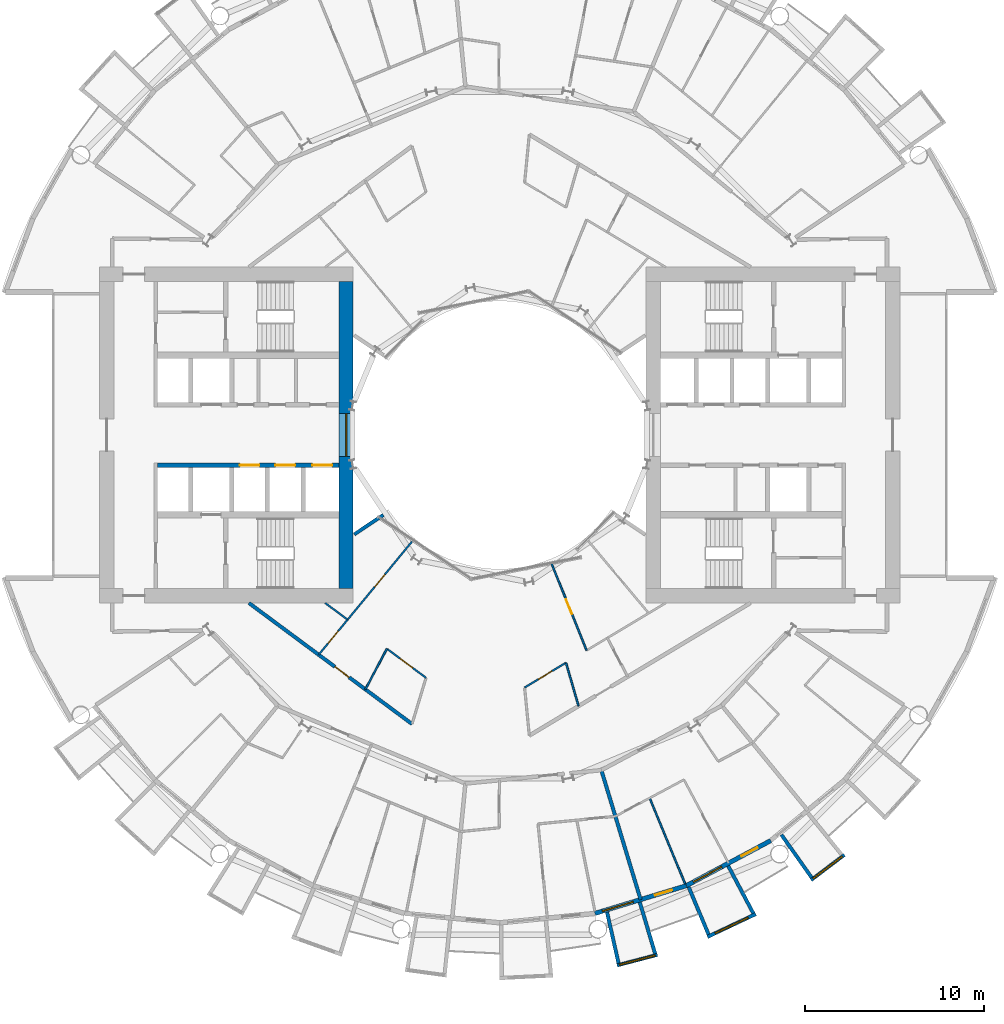
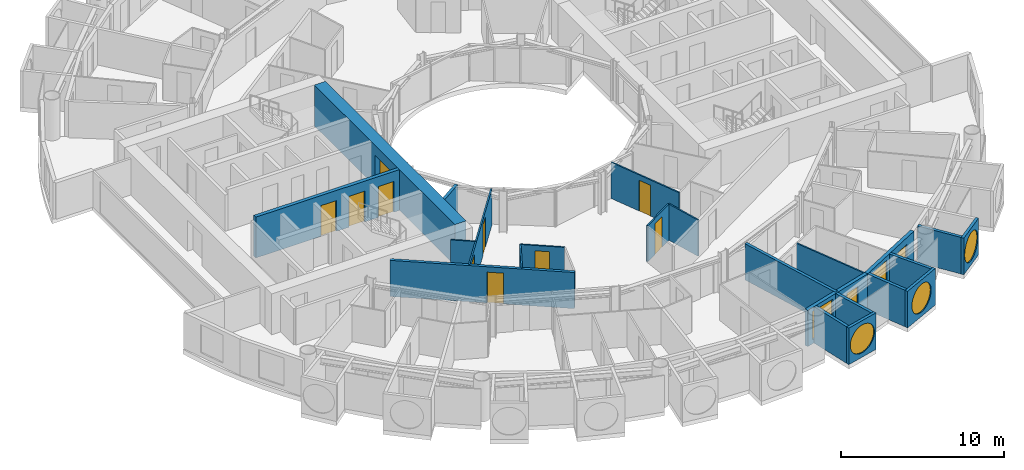
# One storey, part 15 of 26: 23 walls, 11 doors, 6 windows, 17 openings.
"""IFC4 building model written with IfcOpenShell, lengths in metres."""

from ifc_helpers import new_model, si_unit, direction, frame, frame_2d, origin, place, context, subcontext, project, spatial, rectangle, circle, extrude, material, layer, layer_set, type_object, element, fill, save


model = new_model("IFC4")

# Units and contexts
model_context = context("Model", 3, precision=1e-05, world=origin(), true_north=direction((0.0, 1.0)))
body_context = subcontext(model_context, "Body", "Model", "MODEL_VIEW")
ifc_project = project(units=[si_unit("LENGTHUNIT", "METRE"), si_unit("AREAUNIT", "SQUARE_METRE"), si_unit("VOLUMEUNIT", "CUBIC_METRE"), si_unit("PLANEANGLEUNIT", "RADIAN"), si_unit("MASSUNIT", "GRAM", prefix="KILO")], contexts=[model_context])

# Site, building, storey
site_placement = place(None, origin())
site = spatial("IfcSite", under=ifc_project, at=site_placement, CompositionType="ELEMENT")
building_placement = place(site_placement, origin())
building = spatial("IfcBuilding", under=site, at=building_placement, Name="Maasbend Ring Residences", CompositionType="ELEMENT")
storey_placement = place(building_placement, frame((0.0, 0.0, 47.199951171875)))
storey = spatial("IfcBuildingStorey", under=building, at=storey_placement, Name="L13", CompositionType="ELEMENT", Elevation=47.199951171875)

# Wall, openings, doors
ifc_material_1 = material(Name="Concrete C70/85", Category="concrete")
ifc_layer_1 = layer(ifc_material_1, 0.25)
ifc_layer_set_1 = layer_set([ifc_layer_1], Name="Concrete C70/85")
wall_type_1 = type_object("IfcWallType", Name="CORE WALL 250 C70/85", PredefinedType="SHEAR", material=ifc_layer_set_1)
wall_1_placement = place(storey_placement, frame((-9.0, -1.699951171875, 0.0), z_axis=(0.0, 0.0, 1.0), x_axis=(-1.0, 0.0, 0.0)))
wall_1 = element("IfcWall", 1, at=wall_1_placement, inside=storey, type_object=wall_type_1, Name="L13 core W wall SPN", PredefinedType="SHEAR", context=body_context, shape_type="SweptSolid", body=[
    extrude(rectangle(XDim=10.14990234375, YDim=0.25, at=frame_2d((5.074951171875, 0.0))), origin(), (0.0, 0.0, 1.0), 3.050048828125),
])
opening_1_placement = place(wall_1_placement, frame((0.387451171875, 0.0, 0.0)))
opening_1 = element("IfcOpeningElement", 2, at=opening_1_placement, cuts=wall_1, Name="Opening LD-W1301", PredefinedType="OPENING", context=body_context, shape_type="SweptSolid", body=[
    extrude(rectangle(XDim=1.10009765625, YDim=2.300048828125, at=frame_2d((0.550048828125, 1.14990234375))), frame((0.0, 0.135009765625, 0.0), z_axis=(0.0, -1.0, 0.0), x_axis=(1.0, 0.0, 0.0)), (0.0, 0.0, 1.0), 0.27001953125),
])
opening_2_placement = place(wall_1_placement, frame((2.449951171875, 0.0, 0.0)))
opening_2 = element("IfcOpeningElement", 3, at=opening_2_placement, cuts=wall_1, Name="Opening LD-W1302", PredefinedType="OPENING", context=body_context, shape_type="SweptSolid", body=[
    extrude(rectangle(XDim=1.10009765625, YDim=2.300048828125, at=frame_2d((0.550048828125, 1.14990234375))), frame((0.0, 0.135009765625, 0.0), z_axis=(0.0, -1.0, 0.0), x_axis=(1.0, 0.0, 0.0)), (0.0, 0.0, 1.0), 0.27001953125),
])
opening_3_placement = place(wall_1_placement, frame((4.449951171875, 0.0, 0.0)))
opening_3 = element("IfcOpeningElement", 4, at=opening_3_placement, cuts=wall_1, Name="Opening LD-W1303", PredefinedType="OPENING", context=body_context, shape_type="SweptSolid", body=[
    extrude(rectangle(XDim=1.10009765625, YDim=2.300048828125, at=frame_2d((0.550048828125, 1.14990234375))), frame((0.0, 0.135009765625, 0.0), z_axis=(0.0, -1.0, 0.0), x_axis=(1.0, 0.0, 0.0)), (0.0, 0.0, 1.0), 0.27001953125),
])
ifc_material_2 = material(Name="Stainless steel 316", Category="steel")
door_type_1 = type_object("IfcDoorType", Name="LANDING DOOR 1100 X 2300 FD60", OperationType="DOUBLE_DOOR_SLIDING", PredefinedType="DOOR", material=ifc_material_2)
door_1_placement = place(opening_1_placement, origin())
door_1 = element("IfcDoor", 5, at=door_1_placement, inside=storey, type_object=door_type_1, Name="Landing door LR-W1 L13", OperationType="DOUBLE_DOOR_SLIDING", OverallHeight=2.300048828125, OverallWidth=1.10009765625, PredefinedType="DOOR", context=body_context, shape_type="SweptSolid", body=[
    extrude(rectangle(XDim=1.10009765625, YDim=2.300048828125, at=frame_2d((0.550048828125, 1.14990234375))), frame((0.0, 0.02490234375, 0.0), z_axis=(0.0, -1.0, 0.0), x_axis=(1.0, 0.0, 0.0)), (0.0, 0.0, 1.0), 0.050048828125),
])
fill(opening_1, door_1)
door_2_placement = place(opening_2_placement, origin())
door_2 = element("IfcDoor", 6, at=door_2_placement, inside=storey, type_object=door_type_1, Name="Landing door LR-W2 L13", OperationType="DOUBLE_DOOR_SLIDING", OverallHeight=2.300048828125, OverallWidth=1.10009765625, PredefinedType="DOOR", context=body_context, shape_type="SweptSolid", body=[
    extrude(rectangle(XDim=1.10009765625, YDim=2.300048828125, at=frame_2d((0.550048828125, 1.14990234375))), frame((0.0, 0.02490234375, 0.0), z_axis=(0.0, -1.0, 0.0), x_axis=(1.0, 0.0, 0.0)), (0.0, 0.0, 1.0), 0.050048828125),
])
fill(opening_2, door_2)
door_3_placement = place(opening_3_placement, origin())
door_3 = element("IfcDoor", 7, at=door_3_placement, inside=storey, type_object=door_type_1, Name="Landing door LR-W3 L13", OperationType="DOUBLE_DOOR_SLIDING", OverallHeight=2.300048828125, OverallWidth=1.10009765625, PredefinedType="DOOR", context=body_context, shape_type="SweptSolid", body=[
    extrude(rectangle(XDim=1.10009765625, YDim=2.300048828125, at=frame_2d((0.550048828125, 1.14990234375))), frame((0.0, 0.02490234375, 0.0), z_axis=(0.0, -1.0, 0.0), x_axis=(1.0, 0.0, 0.0)), (0.0, 0.0, 1.0), 0.050048828125),
])
fill(opening_3, door_3)

# Wall, opening, window
ifc_material_3 = material(Name="Concrete C70/85", Category="concrete")
ifc_layer_2 = layer(ifc_material_3, 0.800048828125)
ifc_layer_set_2 = layer_set([ifc_layer_2], Name="Concrete C70/85")
wall_type_2 = type_object("IfcWallType", Name="CORE WALL 800 C70/85", PredefinedType="SHEAR", material=ifc_layer_set_2)
wall_2_placement = place(storey_placement, frame((-8.60009765625, 8.60009765625, 0.0), z_axis=(0.0, 0.0, 1.0), x_axis=(0.0, -1.0, 0.0)))
wall_2 = element("IfcWall", 8, at=wall_2_placement, inside=storey, type_object=wall_type_2, Name="L13 core W wall PIN", PredefinedType="SHEAR", context=body_context, shape_type="SweptSolid", body=[
    extrude(rectangle(XDim=17.2001953125, YDim=0.800048828125, at=frame_2d((8.60009765625, 0.0))), origin(), (0.0, 0.0, 1.0), 3.050048828125),
])
opening_4_placement = place(wall_2_placement, frame((7.39990234375, 0.0, 0.10009765625)))
opening_4 = element("IfcOpeningElement", 9, at=opening_4_placement, cuts=wall_2, Name="Opening W-W1301", PredefinedType="OPENING", context=body_context, shape_type="SweptSolid", body=[
    extrude(rectangle(XDim=2.39990234375, YDim=2.199951171875, at=frame_2d((1.199951171875, 1.10009765625))), frame((0.0, 0.41015625, 0.0), z_axis=(0.0, -1.0, 0.0), x_axis=(1.0, 0.0, 0.0)), (0.0, 0.0, 1.0), 0.820068359375),
])
ifc_material_4 = material(Name="Aluminium frame and clear glass", Category="aluminium")
window_type_1 = type_object("IfcWindowType", Name="FIXED WINDOW 2400 X 2200", PartitioningType="SINGLE_PANEL", PredefinedType="WINDOW", material=ifc_material_4)
window_1_placement = place(opening_4_placement, origin())
window_1 = element("IfcWindow", 10, at=window_1_placement, inside=storey, type_object=window_type_1, Name="Lobby window L13", OverallHeight=2.199951171875, OverallWidth=2.39990234375, PartitioningType="SINGLE_PANEL", PredefinedType="WINDOW", context=body_context, shape_type="SweptSolid", body=[
    extrude(rectangle(XDim=2.39990234375, YDim=2.199951171875, at=frame_2d((1.199951171875, 1.10009765625))), frame((0.0, 0.030029296875, 0.0), z_axis=(0.0, -1.0, 0.0), x_axis=(1.0, 0.0, 0.0)), (0.0, 0.0, 1.0), 0.06005859375),
])
fill(opening_4, window_1)

# Wall, opening, door
ifc_material_5 = material(Name="Concrete C30/37", Category="concrete")
ifc_layer_3 = layer(ifc_material_5, 0.199951171875)
ifc_layer_set_3 = layer_set([ifc_layer_3], Name="Concrete C30/37")
wall_type_3 = type_object("IfcWallType", Name="CORRIDOR WALL 200 CONCRETE", PredefinedType="PARTITIONING", material=ifc_layer_set_3)
wall_3_placement = place(storey_placement, frame((-14.037109375, -9.39990234375, 0.0), z_axis=(0.0, 0.0, 1.0), x_axis=(0.803202106898, -0.595706618626, 0.0)))
wall_3 = element("IfcWall", 11, at=wall_3_placement, inside=storey, type_object=wall_type_3, Name="U-L13-w020", PredefinedType="PARTITIONING", context=body_context, shape_type="SweptSolid", body=[
    extrude(rectangle(XDim=11.368408203125, YDim=0.199951171875, at=frame_2d((5.68408203125, 0.0))), origin(), (0.0, 0.0, 1.0), 2.699951171875),
])
opening_5_placement = place(wall_3_placement, frame((5.988037109375, 0.0, 0.0)))
opening_5 = element("IfcOpeningElement", 12, at=opening_5_placement, cuts=wall_3, Name="Opening D-1350", PredefinedType="OPENING", context=body_context, shape_type="SweptSolid", body=[
    extrude(rectangle(XDim=1.0, YDim=2.300048828125, at=frame_2d((0.5, 1.14990234375))), frame((0.0, 0.10986328125, 0.0), z_axis=(0.0, -1.0, 0.0), x_axis=(1.0, 0.0, 0.0)), (0.0, 0.0, 1.0), 0.219970703125),
])
ifc_material_6 = material(Name="Timber, fire-rated, painted", Category="wood")
door_type_2 = type_object("IfcDoorType", Name="FLAT ENTRANCE DOOR 1000 X 2300 FIRE-RATED", OperationType="NOTDEFINED", PredefinedType="DOOR", material=ifc_material_6)
door_4_placement = place(opening_5_placement, origin())
door_4 = element("IfcDoor", 13, at=door_4_placement, inside=storey, type_object=door_type_2, Name="D-1350", OperationType="SINGLE_SWING_RIGHT", OverallHeight=2.300048828125, OverallWidth=1.0, PredefinedType="DOOR", context=body_context, shape_type="SweptSolid", body=[
    extrude(rectangle(XDim=1.0, YDim=2.300048828125, at=frame_2d((0.5, 1.14990234375))), frame((0.0, 0.02490234375, 0.0), z_axis=(0.0, -1.0, 0.0), x_axis=(1.0, 0.0, 0.0)), (0.0, 0.0, 1.0), 0.050048828125),
])
fill(opening_5, door_4)

# Wall, opening, window
ifc_material_7 = material(Name="Pale anodised aluminium panel", Category="aluminium")
ifc_layer_4 = layer(ifc_material_7, 0.199951171875)
ifc_layer_set_4 = layer_set([ifc_layer_4], Name="EW-BOX")
wall_type_4 = type_object("IfcWallType", Name="EW-BOX", PredefinedType="SOLIDWALL", material=ifc_layer_set_4)
wall_4_placement = place(storey_placement, frame((6.568115234375, -29.681884765625, -0.030029296875), z_axis=(0.0, 0.0, 1.0), x_axis=(0.967377102346, 0.253340762326, 0.0)))
wall_4 = element("IfcWall", 14, at=wall_4_placement, inside=storey, type_object=wall_type_4, Name="Box front S13", PredefinedType="SOLIDWALL", context=body_context, shape_type="SweptSolid", body=[
    extrude(rectangle(XDim=2.3359375, YDim=0.199951171875, at=frame_2d((1.16796875, 0.0))), origin(), (0.0, 0.0, 1.0), 2.72998046875),
])
opening_6_placement = place(wall_4_placement, frame((0.128173828125, 0.0, 0.330078125)))
opening_6 = element("IfcOpeningElement", 15, at=opening_6_placement, cuts=wall_4, Name="Opening W-RD", PredefinedType="OPENING", context=body_context, shape_type="SweptSolid", body=[
    extrude(circle(Radius=1.0400390625, at=frame_2d((1.0400390625, 1.0400390625))), frame((0.0, 0.10986328125, 0.0), z_axis=(0.0, -1.0, 0.0), x_axis=(1.0, 0.0, 0.0)), (0.0, 0.0, 1.0), 0.219970703125),
])
ifc_material_8 = material(Name="Aluminium and clear glass", Category="aluminium")
window_type_2 = type_object("IfcWindowType", Name="W-RD", PartitioningType="SINGLE_PANEL", PredefinedType="WINDOW", material=ifc_material_8)
window_2_placement = place(opening_6_placement, origin())
window_2 = element("IfcWindow", 16, at=window_2_placement, inside=storey, type_object=window_type_2, Name="Round window S13", OverallHeight=2.080078125, OverallWidth=2.080078125, PartitioningType="SINGLE_PANEL", PredefinedType="WINDOW", context=body_context, shape_type="SweptSolid", body=[
    extrude(circle(Radius=1.0400390625, at=frame_2d((1.0400390625, 1.0400390625))), frame((0.0, 0.030029296875, 0.0), z_axis=(0.0, -1.0, 0.0), x_axis=(1.0, 0.0, 0.0)), (0.0, 0.0, 1.0), 0.06005859375),
])
fill(opening_6, window_2)

# Walls
wall_5_placement = place(storey_placement, frame((6.00390625, -26.699951171875, -0.030029296875), z_axis=(0.0, 0.0, 1.0), x_axis=(0.219609259383, -0.975587911566, 0.0)))
element("IfcWall", 17, at=wall_5_placement, inside=storey, type_object=wall_type_4, Name="Box side wall S13 left", PredefinedType="SOLIDWALL", context=body_context, shape_type="SweptSolid", body=[
    extrude(rectangle(XDim=2.9326171875, YDim=0.199951171875, at=frame_2d((1.46630859375, 0.0))), origin(), (0.0, 0.0, 1.0), 2.72998046875),
])
wall_6_placement = place(storey_placement, frame((7.8369140625, -26.14404296875, -0.030029296875), z_axis=(0.0, 0.0, 1.0), x_axis=(0.287064767992, -0.957911174889, 0.0)))
element("IfcWall", 18, at=wall_6_placement, inside=storey, type_object=wall_type_4, Name="Box side wall S13 right", PredefinedType="SOLIDWALL", context=body_context, shape_type="SweptSolid", body=[
    extrude(rectangle(XDim=3.00634765625, YDim=0.199951171875, at=frame_2d((1.503173828125, 0.0))), origin(), (0.0, 0.0, 1.0), 2.72998046875),
])

# Wall, opening, window
wall_7_placement = place(storey_placement, frame((11.62890625, -28.087890625, -0.030029296875), z_axis=(0.0, 0.0, 1.0), x_axis=(0.904000060331, 0.427532327342, 0.0)))
wall_7 = element("IfcWall", 19, at=wall_7_placement, inside=storey, type_object=wall_type_4, Name="Box front S15", PredefinedType="SOLIDWALL", context=body_context, shape_type="SweptSolid", body=[
    extrude(rectangle(XDim=2.993408203125, YDim=0.199951171875, at=frame_2d((1.49658203125, 0.0))), origin(), (0.0, 0.0, 1.0), 2.72998046875),
])
opening_7_placement = place(wall_7_placement, frame((0.45654296875, 0.0, 0.330078125)))
opening_7 = element("IfcOpeningElement", 20, at=opening_7_placement, cuts=wall_7, Name="Opening W-RD", PredefinedType="OPENING", context=body_context, shape_type="SweptSolid", body=[
    extrude(circle(Radius=1.0400390625, at=frame_2d((1.0400390625, 1.0400390625))), frame((0.0, 0.10986328125, 0.0), z_axis=(0.0, -1.0, 0.0), x_axis=(1.0, 0.0, 0.0)), (0.0, 0.0, 1.0), 0.219970703125),
])
window_3_placement = place(opening_7_placement, origin())
window_3 = element("IfcWindow", 21, at=window_3_placement, inside=storey, type_object=window_type_2, Name="Round window S15", OverallHeight=2.080078125, OverallWidth=2.080078125, PartitioningType="SINGLE_PANEL", PredefinedType="WINDOW", context=body_context, shape_type="SweptSolid", body=[
    extrude(circle(Radius=1.0400390625, at=frame_2d((1.0400390625, 1.0400390625))), frame((0.0, 0.030029296875, 0.0), z_axis=(0.0, -1.0, 0.0), x_axis=(1.0, 0.0, 0.0)), (0.0, 0.0, 1.0), 0.06005859375),
])
fill(opening_7, window_3)

# Walls
wall_8_placement = place(storey_placement, frame((10.574951171875, -25.294921875, -0.030029296875), z_axis=(0.0, 0.0, 1.0), x_axis=(0.385697364644, -0.922625353492, 0.0)))
element("IfcWall", 22, at=wall_8_placement, inside=storey, type_object=wall_type_4, Name="Box side wall S15 left", PredefinedType="SOLIDWALL", context=body_context, shape_type="SweptSolid", body=[
    extrude(rectangle(XDim=2.88330078125, YDim=0.199951171875, at=frame_2d((1.441650390625, 0.0))), origin(), (0.0, 0.0, 1.0), 2.72998046875),
])
wall_9_placement = place(storey_placement, frame((12.787109375, -24.113037109375, -0.030029296875), z_axis=(0.0, 0.0, 1.0), x_axis=(0.468365282436, -0.883534924159, 0.0)))
element("IfcWall", 23, at=wall_9_placement, inside=storey, type_object=wall_type_4, Name="Box side wall S15 right", PredefinedType="SOLIDWALL", context=body_context, shape_type="SweptSolid", body=[
    extrude(rectangle(XDim=3.006103515625, YDim=0.199951171875, at=frame_2d((1.5029296875, 0.0))), origin(), (0.0, 0.0, 1.0), 2.72998046875),
])

# Wall, opening, window
wall_10_placement = place(storey_placement, frame((17.427001953125, -24.908935546875, -0.030029296875), z_axis=(0.0, 0.0, 1.0), x_axis=(0.796842165306, 0.60418752353, 0.0)))
wall_10 = element("IfcWall", 24, at=wall_10_placement, inside=storey, type_object=wall_type_4, Name="Box front S17", PredefinedType="SOLIDWALL", context=body_context, shape_type="SweptSolid", body=[
    extrude(rectangle(XDim=2.3369140625, YDim=0.199951171875, at=frame_2d((1.16845703125, 0.0))), origin(), (0.0, 0.0, 1.0), 2.72998046875),
])
opening_8_placement = place(wall_10_placement, frame((0.128173828125, 0.0, 0.330078125)))
opening_8 = element("IfcOpeningElement", 25, at=opening_8_placement, cuts=wall_10, Name="Opening W-RD", PredefinedType="OPENING", context=body_context, shape_type="SweptSolid", body=[
    extrude(circle(Radius=1.0400390625, at=frame_2d((1.0400390625, 1.0400390625))), frame((0.0, 0.10986328125, 0.0), z_axis=(0.0, -1.0, 0.0), x_axis=(1.0, 0.0, 0.0)), (0.0, 0.0, 1.0), 0.219970703125),
])
window_4_placement = place(opening_8_placement, origin())
window_4 = element("IfcWindow", 26, at=window_4_placement, inside=storey, type_object=window_type_2, Name="Round window S17", OverallHeight=2.080078125, OverallWidth=2.080078125, PartitioningType="SINGLE_PANEL", PredefinedType="WINDOW", context=body_context, shape_type="SweptSolid", body=[
    extrude(circle(Radius=1.0400390625, at=frame_2d((1.0400390625, 1.0400390625))), frame((0.0, 0.030029296875, 0.0), z_axis=(0.0, -1.0, 0.0), x_axis=(1.0, 0.0, 0.0)), (0.0, 0.0, 1.0), 0.06005859375),
])
fill(opening_8, window_4)

# Wall
wall_11_placement = place(storey_placement, frame((15.764892578125, -22.3701171875, -0.030029296875), z_axis=(0.0, 0.0, 1.0), x_axis=(0.576274612209, -0.817256123454, 0.0)))
element("IfcWall", 27, at=wall_11_placement, inside=storey, type_object=wall_type_4, Name="Box side wall S17 left", PredefinedType="SOLIDWALL", context=body_context, shape_type="SweptSolid", body=[
    extrude(rectangle(XDim=2.932861328125, YDim=0.199951171875, at=frame_2d((1.46630859375, 0.0))), origin(), (0.0, 0.0, 1.0), 2.72998046875),
])

# Wall, openings, door, window
ifc_material_9 = material(Name="Aluminium clad insulated panel", Category="aluminium")
ifc_layer_5 = layer(ifc_material_9, 0.25)
ifc_layer_set_5 = layer_set([ifc_layer_5], Name="EW-GL")
wall_type_5 = type_object("IfcWallType", Name="EW-GL", PredefinedType="SOLIDWALL", material=ifc_layer_set_5)
wall_12_placement = place(storey_placement, frame((5.325927734375, -26.77490234375, 0.0), z_axis=(0.0, 0.0, 1.0), x_axis=(0.956965678721, 0.290201119486, 0.0)))
wall_12 = element("IfcWall", 28, at=wall_12_placement, inside=storey, type_object=wall_type_5, Name="External wall S07", PredefinedType="SOLIDWALL", context=body_context, shape_type="SweptSolid", body=[
    extrude(rectangle(XDim=5.351318359375, YDim=0.25, at=frame_2d((2.67578125, 0.0))), origin(), (0.0, 0.0, 1.0), 2.699951171875),
])
opening_9_placement = place(wall_12_placement, frame((0.441162109375, 0.0, 0.300048828125)))
opening_9 = element("IfcOpeningElement", 29, at=opening_9_placement, cuts=wall_12, Name="Opening W-BX", PredefinedType="OPENING", context=body_context, shape_type="SweptSolid", body=[
    extrude(rectangle(XDim=1.800048828125, YDim=2.10009765625, at=frame_2d((0.89990234375, 1.050048828125))), frame((0.0, 0.135009765625, 0.0), z_axis=(0.0, -1.0, 0.0), x_axis=(1.0, 0.0, 0.0)), (0.0, 0.0, 1.0), 0.27001953125),
])
opening_10_placement = place(wall_12_placement, frame((3.510498046875, 0.0, 0.0)))
opening_10 = element("IfcOpeningElement", 30, at=opening_10_placement, cuts=wall_12, Name="Opening D-LG", PredefinedType="OPENING", context=body_context, shape_type="SweptSolid", body=[
    extrude(rectangle(XDim=1.0, YDim=2.199951171875, at=frame_2d((0.5, 1.10009765625))), frame((0.0, 0.135009765625, 0.0), z_axis=(0.0, -1.0, 0.0), x_axis=(1.0, 0.0, 0.0)), (0.0, 0.0, 1.0), 0.27001953125),
])
ifc_material_10 = material(Name="Aluminium and clear glass", Category="aluminium")
door_type_3 = type_object("IfcDoorType", Name="D-LG", OperationType="SINGLE_SWING_LEFT", PredefinedType="DOOR", material=ifc_material_10)
door_5_placement = place(opening_10_placement, origin())
door_5 = element("IfcDoor", 31, at=door_5_placement, inside=storey, type_object=door_type_3, Name="Loggia door S14", OperationType="SINGLE_SWING_LEFT", OverallHeight=2.199951171875, OverallWidth=1.0, PredefinedType="DOOR", context=body_context, shape_type="SweptSolid", body=[
    extrude(rectangle(XDim=1.0, YDim=2.199951171875, at=frame_2d((0.5, 1.10009765625))), frame((0.0, 0.02490234375, 0.0), z_axis=(0.0, -1.0, 0.0), x_axis=(1.0, 0.0, 0.0)), (0.0, 0.0, 1.0), 0.050048828125),
])
fill(opening_10, door_5)
ifc_material_11 = material(Name="Aluminium and clear glass", Category="aluminium")
window_type_3 = type_object("IfcWindowType", Name="W-BX", PartitioningType="DOUBLE_PANEL_VERTICAL", PredefinedType="WINDOW", material=ifc_material_11)
window_5_placement = place(opening_9_placement, origin())
window_5 = element("IfcWindow", 32, at=window_5_placement, inside=storey, type_object=window_type_3, Name="Window S13 room to box", OverallHeight=2.10009765625, OverallWidth=1.800048828125, PartitioningType="SINGLE_PANEL", PredefinedType="WINDOW", context=body_context, shape_type="SweptSolid", body=[
    extrude(rectangle(XDim=1.800048828125, YDim=2.10009765625, at=frame_2d((0.89990234375, 1.050048828125))), frame((0.0, 0.030029296875, 0.0), z_axis=(0.0, -1.0, 0.0), x_axis=(1.0, 0.0, 0.0)), (0.0, 0.0, 1.0), 0.06005859375),
])
fill(opening_9, window_5)

wall_13_placement = place(storey_placement, frame((10.447021484375, -25.221923828125, 0.0), z_axis=(0.0, 0.0, 1.0), x_axis=(0.881915646801, 0.471407246368, 0.0)))
wall_13 = element("IfcWall", 33, at=wall_13_placement, inside=storey, type_object=wall_type_5, Name="External wall S08", PredefinedType="SOLIDWALL", context=body_context, shape_type="SweptSolid", body=[
    extrude(rectangle(XDim=5.35205078125, YDim=0.25, at=frame_2d((2.676025390625, 0.0))), origin(), (0.0, 0.0, 1.0), 2.699951171875),
])
opening_11_placement = place(wall_13_placement, frame((0.441162109375, 0.0, 0.300048828125)))
opening_11 = element("IfcOpeningElement", 34, at=opening_11_placement, cuts=wall_13, Name="Opening W-BX", PredefinedType="OPENING", context=body_context, shape_type="SweptSolid", body=[
    extrude(rectangle(XDim=1.800048828125, YDim=2.10009765625, at=frame_2d((0.89990234375, 1.050048828125))), frame((0.0, 0.135009765625, 0.0), z_axis=(0.0, -1.0, 0.0), x_axis=(1.0, 0.0, 0.0)), (0.0, 0.0, 1.0), 0.27001953125),
])
opening_12_placement = place(wall_13_placement, frame((3.510498046875, 0.0, 0.0)))
opening_12 = element("IfcOpeningElement", 35, at=opening_12_placement, cuts=wall_13, Name="Opening D-LG", PredefinedType="OPENING", context=body_context, shape_type="SweptSolid", body=[
    extrude(rectangle(XDim=1.0, YDim=2.199951171875, at=frame_2d((0.5, 1.10009765625))), frame((0.0, 0.135009765625, 0.0), z_axis=(0.0, -1.0, 0.0), x_axis=(1.0, 0.0, 0.0)), (0.0, 0.0, 1.0), 0.27001953125),
])
door_6_placement = place(opening_12_placement, origin())
door_6 = element("IfcDoor", 36, at=door_6_placement, inside=storey, type_object=door_type_3, Name="Loggia door S16", OperationType="SINGLE_SWING_LEFT", OverallHeight=2.199951171875, OverallWidth=1.0, PredefinedType="DOOR", context=body_context, shape_type="SweptSolid", body=[
    extrude(rectangle(XDim=1.0, YDim=2.199951171875, at=frame_2d((0.5, 1.10009765625))), frame((0.0, 0.02490234375, 0.0), z_axis=(0.0, -1.0, 0.0), x_axis=(1.0, 0.0, 0.0)), (0.0, 0.0, 1.0), 0.050048828125),
])
fill(opening_12, door_6)
window_6_placement = place(opening_11_placement, origin())
window_6 = element("IfcWindow", 37, at=window_6_placement, inside=storey, type_object=window_type_3, Name="Window S15 room to box", OverallHeight=2.10009765625, OverallWidth=1.800048828125, PartitioningType="SINGLE_PANEL", PredefinedType="WINDOW", context=body_context, shape_type="SweptSolid", body=[
    extrude(rectangle(XDim=1.800048828125, YDim=2.10009765625, at=frame_2d((0.89990234375, 1.050048828125))), frame((0.0, 0.030029296875, 0.0), z_axis=(0.0, -1.0, 0.0), x_axis=(1.0, 0.0, 0.0)), (0.0, 0.0, 1.0), 0.06005859375),
])
fill(opening_11, window_6)

# Wall
ifc_material_12 = material(Name="Gypsum board on steel studs", Category="steel")
ifc_layer_6 = layer(ifc_material_12, 0.10009765625)
ifc_layer_set_6 = layer_set([ifc_layer_6], Name="PARTITION 100 GYPSUM")
wall_type_6 = type_object("IfcWallType", Name="PARTITION 100 GYPSUM", PredefinedType="PARTITIONING", material=ifc_layer_set_6)
wall_14_placement = place(storey_placement, frame((-9.77001953125, -9.39990234375, 0.0), z_axis=(0.0, 0.0, 1.0), x_axis=(0.803264156882, -0.595622946392, 0.0)))
element("IfcWall", 38, at=wall_14_placement, inside=storey, type_object=wall_type_6, Name="U-L13-w022", PredefinedType="PARTITIONING", context=body_context, shape_type="SweptSolid", body=[
    extrude(rectangle(XDim=1.56494140625, YDim=0.10009765625, at=frame_2d((0.782470703125, 0.0))), origin(), (0.0, 0.0, 1.0), 2.699951171875),
])

# Wall, opening, door
wall_15_placement = place(storey_placement, frame((-6.31494140625, -11.9609375, 0.0), z_axis=(0.0, 0.0, 1.0), x_axis=(0.803128348509, -0.595806055542, 0.0)))
wall_15 = element("IfcWall", 39, at=wall_15_placement, inside=storey, type_object=wall_type_6, Name="U-L13-w023", PredefinedType="PARTITIONING", context=body_context, shape_type="SweptSolid", body=[
    extrude(rectangle(XDim=2.734375, YDim=0.10009765625, at=frame_2d((1.3671875, 0.0))), origin(), (0.0, 0.0, 1.0), 2.699951171875),
])
opening_13_placement = place(wall_15_placement, frame((0.9140625, 0.0, 0.0)))
opening_13 = element("IfcOpeningElement", 40, at=opening_13_placement, cuts=wall_15, Name="Opening D-1351", PredefinedType="OPENING", context=body_context, shape_type="SweptSolid", body=[
    extrude(rectangle(XDim=0.89990234375, YDim=2.300048828125, at=frame_2d((0.449951171875, 1.14990234375))), frame((0.0, 0.06005859375, 0.0), z_axis=(0.0, -1.0, 0.0), x_axis=(1.0, 0.0, 0.0)), (0.0, 0.0, 1.0), 0.1201171875),
])
ifc_material_13 = material(Name="Timber, painted", Category="wood")
door_type_4 = type_object("IfcDoorType", Name="INTERNAL DOOR 900 X 2300", OperationType="NOTDEFINED", PredefinedType="DOOR", material=ifc_material_13)
door_7_placement = place(opening_13_placement, origin())
door_7 = element("IfcDoor", 41, at=door_7_placement, inside=storey, type_object=door_type_4, Name="D-1351", OperationType="SINGLE_SWING_LEFT", OverallHeight=2.300048828125, OverallWidth=0.89990234375, PredefinedType="DOOR", context=body_context, shape_type="SweptSolid", body=[
    extrude(rectangle(XDim=0.89990234375, YDim=2.300048828125, at=frame_2d((0.449951171875, 1.14990234375))), frame((0.0, 0.02490234375, 0.0), z_axis=(0.0, -1.0, 0.0), x_axis=(1.0, 0.0, 0.0)), (0.0, 0.0, 1.0), 0.050048828125),
])
fill(opening_13, door_7)

wall_16_placement = place(storey_placement, frame((1.387939453125, -14.134033203125, 0.0), z_axis=(0.0, 0.0, 1.0), x_axis=(0.857820034452, 0.513950180945, 0.0)))
wall_16 = element("IfcWall", 42, at=wall_16_placement, inside=storey, type_object=wall_type_6, Name="U-L13-w024", PredefinedType="PARTITIONING", context=body_context, shape_type="SweptSolid", body=[
    extrude(rectangle(XDim=2.69873046875, YDim=0.10009765625, at=frame_2d((1.349365234375, 0.0))), origin(), (0.0, 0.0, 1.0), 2.699951171875),
])
opening_14_placement = place(wall_16_placement, frame((0.904052734375, 0.0, 0.0)))
opening_14 = element("IfcOpeningElement", 43, at=opening_14_placement, cuts=wall_16, Name="Opening D-1355", PredefinedType="OPENING", context=body_context, shape_type="SweptSolid", body=[
    extrude(rectangle(XDim=0.89990234375, YDim=2.300048828125, at=frame_2d((0.449951171875, 1.14990234375))), frame((0.0, 0.06005859375, 0.0), z_axis=(0.0, -1.0, 0.0), x_axis=(1.0, 0.0, 0.0)), (0.0, 0.0, 1.0), 0.1201171875),
])
door_8_placement = place(opening_14_placement, origin())
door_8 = element("IfcDoor", 44, at=door_8_placement, inside=storey, type_object=door_type_4, Name="D-1355", OperationType="SINGLE_SWING_RIGHT", OverallHeight=2.300048828125, OverallWidth=0.89990234375, PredefinedType="DOOR", context=body_context, shape_type="SweptSolid", body=[
    extrude(rectangle(XDim=0.89990234375, YDim=2.300048828125, at=frame_2d((0.449951171875, 1.14990234375))), frame((0.0, 0.02490234375, 0.0), z_axis=(0.0, -1.0, 0.0), x_axis=(1.0, 0.0, 0.0)), (0.0, 0.0, 1.0), 0.050048828125),
])
fill(opening_14, door_8)

# Wall, openings, doors
wall_17_placement = place(storey_placement, frame((-10.132080078125, -12.2958984375, 0.0), z_axis=(0.0, 0.0, 1.0), x_axis=(0.636105207978, 0.771602335652, 0.0)))
wall_17 = element("IfcWall", 45, at=wall_17_placement, inside=storey, type_object=wall_type_6, Name="U-L13-w043", PredefinedType="PARTITIONING", context=body_context, shape_type="SweptSolid", body=[
    extrude(rectangle(XDim=8.212646484375, YDim=0.10009765625, at=frame_2d((4.1064453125, 0.0))), origin(), (0.0, 0.0, 1.0), 2.699951171875),
])
opening_15_placement = place(wall_17_placement, frame((0.821044921875, 0.0, 0.0)))
opening_15 = element("IfcOpeningElement", 46, at=opening_15_placement, cuts=wall_17, Name="Opening D-1352", PredefinedType="OPENING", context=body_context, shape_type="SweptSolid", body=[
    extrude(rectangle(XDim=0.89990234375, YDim=2.300048828125, at=frame_2d((0.449951171875, 1.14990234375))), frame((0.0, 0.06005859375, 0.0), z_axis=(0.0, -1.0, 0.0), x_axis=(1.0, 0.0, 0.0)), (0.0, 0.0, 1.0), 0.1201171875),
])
opening_16_placement = place(wall_17_placement, frame((4.928955078125, 0.0, 0.0)))
opening_16 = element("IfcOpeningElement", 47, at=opening_16_placement, cuts=wall_17, Name="Opening D-1353", PredefinedType="OPENING", context=body_context, shape_type="SweptSolid", body=[
    extrude(rectangle(XDim=0.89990234375, YDim=2.300048828125, at=frame_2d((0.449951171875, 1.14990234375))), frame((0.0, 0.06005859375, 0.0), z_axis=(0.0, -1.0, 0.0), x_axis=(1.0, 0.0, 0.0)), (0.0, 0.0, 1.0), 0.1201171875),
])
door_9_placement = place(opening_15_placement, origin())
door_9 = element("IfcDoor", 48, at=door_9_placement, inside=storey, type_object=door_type_4, Name="D-1352", OperationType="SINGLE_SWING_LEFT", OverallHeight=2.300048828125, OverallWidth=0.89990234375, PredefinedType="DOOR", context=body_context, shape_type="SweptSolid", body=[
    extrude(rectangle(XDim=0.89990234375, YDim=2.300048828125, at=frame_2d((0.449951171875, 1.14990234375))), frame((0.0, 0.02490234375, 0.0), z_axis=(0.0, -1.0, 0.0), x_axis=(1.0, 0.0, 0.0)), (0.0, 0.0, 1.0), 0.050048828125),
])
fill(opening_15, door_9)
door_10_placement = place(opening_16_placement, origin())
door_10 = element("IfcDoor", 49, at=door_10_placement, inside=storey, type_object=door_type_4, Name="D-1353", OperationType="SINGLE_SWING_RIGHT", OverallHeight=2.300048828125, OverallWidth=0.89990234375, PredefinedType="DOOR", context=body_context, shape_type="SweptSolid", body=[
    extrude(rectangle(XDim=0.89990234375, YDim=2.300048828125, at=frame_2d((0.449951171875, 1.14990234375))), frame((0.0, 0.02490234375, 0.0), z_axis=(0.0, -1.0, 0.0), x_axis=(1.0, 0.0, 0.0)), (0.0, 0.0, 1.0), 0.050048828125),
])
fill(opening_16, door_10)

# Wall
wall_18_placement = place(storey_placement, frame((-7.51904296875, -14.23388671875, 0.0), z_axis=(0.0, 0.0, 1.0), x_axis=(0.467001992543, 0.884256263173, 0.0)))
element("IfcWall", 50, at=wall_18_placement, inside=storey, type_object=wall_type_6, Name="U-L13-w047", PredefinedType="PARTITIONING", context=body_context, shape_type="SweptSolid", body=[
    extrude(rectangle(XDim=2.571533203125, YDim=0.10009765625, at=frame_2d((1.28564453125, 0.0))), origin(), (0.0, 0.0, 1.0), 2.699951171875),
])

# Wall, opening, door
wall_19_placement = place(storey_placement, frame((2.888916015625, -7.158935546875, 0.0), z_axis=(0.0, 0.0, 1.0), x_axis=(0.374372761824, -0.927278294367, 0.0)))
wall_19 = element("IfcWall", 51, at=wall_19_placement, inside=storey, type_object=wall_type_6, Name="U-L13-w056", PredefinedType="PARTITIONING", context=body_context, shape_type="SweptSolid", body=[
    extrude(rectangle(XDim=5.275634765625, YDim=0.10009765625, at=frame_2d((2.6376953125, 0.0))), origin(), (0.0, 0.0, 1.0), 2.699951171875),
])
opening_17_placement = place(wall_19_placement, frame((2.18798828125, 0.0, 0.0)))
opening_17 = element("IfcOpeningElement", 52, at=opening_17_placement, cuts=wall_19, Name="Opening D-1357", PredefinedType="OPENING", context=body_context, shape_type="SweptSolid", body=[
    extrude(rectangle(XDim=0.89990234375, YDim=2.300048828125, at=frame_2d((0.449951171875, 1.14990234375))), frame((0.0, 0.06005859375, 0.0), z_axis=(0.0, -1.0, 0.0), x_axis=(1.0, 0.0, 0.0)), (0.0, 0.0, 1.0), 0.1201171875),
])
door_11_placement = place(opening_17_placement, origin())
door_11 = element("IfcDoor", 53, at=door_11_placement, inside=storey, type_object=door_type_4, Name="D-1357", OperationType="SINGLE_SWING_RIGHT", OverallHeight=2.300048828125, OverallWidth=0.89990234375, PredefinedType="DOOR", context=body_context, shape_type="SweptSolid", body=[
    extrude(rectangle(XDim=0.89990234375, YDim=2.300048828125, at=frame_2d((0.449951171875, 1.14990234375))), frame((0.0, 0.02490234375, 0.0), z_axis=(0.0, -1.0, 0.0), x_axis=(1.0, 0.0, 0.0)), (0.0, 0.0, 1.0), 0.050048828125),
])
fill(opening_17, door_11)

# Walls
wall_20_placement = place(storey_placement, frame((3.7060546875, -12.743896484375, 0.0), z_axis=(0.0, 0.0, 1.0), x_axis=(0.279201466266, -0.960232545395, 0.0)))
element("IfcWall", 54, at=wall_20_placement, inside=storey, type_object=wall_type_6, Name="U-L13-w058", PredefinedType="PARTITIONING", context=body_context, shape_type="SweptSolid", body=[
    extrude(rectangle(XDim=2.5244140625, YDim=0.10009765625, at=frame_2d((1.26220703125, 0.0))), origin(), (0.0, 0.0, 1.0), 2.699951171875),
])
wall_21_placement = place(storey_placement, frame((8.39208984375, -20.31396484375, 0.0), z_axis=(0.0, 0.0, 1.0), x_axis=(0.381673756215, -0.924297107978, 0.0)))
element("IfcWall", 55, at=wall_21_placement, inside=storey, type_object=wall_type_6, Name="U-L13-w070", PredefinedType="PARTITIONING", context=body_context, shape_type="SweptSolid", body=[
    extrude(rectangle(XDim=5.1953125, YDim=0.10009765625, at=frame_2d((2.59765625, 0.0))), origin(), (0.0, 0.0, 1.0), 2.699951171875),
])
ifc_material_14 = material(Name="Concrete C30/37", Category="concrete")
ifc_layer_7 = layer(ifc_material_14, 0.199951171875)
ifc_layer_set_7 = layer_set([ifc_layer_7], Name="Concrete C30/37")
wall_type_7 = type_object("IfcWallType", Name="PARTY WALL 200 CONCRETE", PredefinedType="PARTITIONING", material=ifc_layer_set_7)
wall_22_placement = place(storey_placement, frame((-6.512939453125, -4.471923828125, 0.0), z_axis=(0.0, 0.0, 1.0), x_axis=(-0.831417956244, -0.555647533996, 0.0)))
element("IfcWall", 56, at=wall_22_placement, inside=storey, type_object=wall_type_7, Name="U-L13-w028", PredefinedType="PARTITIONING", context=body_context, shape_type="SweptSolid", body=[
    extrude(rectangle(XDim=1.9619140625, YDim=0.199951171875, at=frame_2d((0.98095703125, 0.0))), origin(), (0.0, 0.0, 1.0), 2.699951171875),
])
wall_23_placement = place(storey_placement, frame((5.68896484375, -18.756103515625, 0.0), z_axis=(0.0, 0.0, 1.0), x_axis=(0.290294523619, -0.956937348815, 0.0)))
element("IfcWall", 57, at=wall_23_placement, inside=storey, type_object=wall_type_7, Name="U-L13-w065", PredefinedType="PARTITIONING", context=body_context, shape_type="SweptSolid", body=[
    extrude(rectangle(XDim=7.574951171875, YDim=0.199951171875, at=frame_2d((3.78759765625, 0.0))), origin(), (0.0, 0.0, 1.0), 2.699951171875),
])

save(model, "model.ifc")
